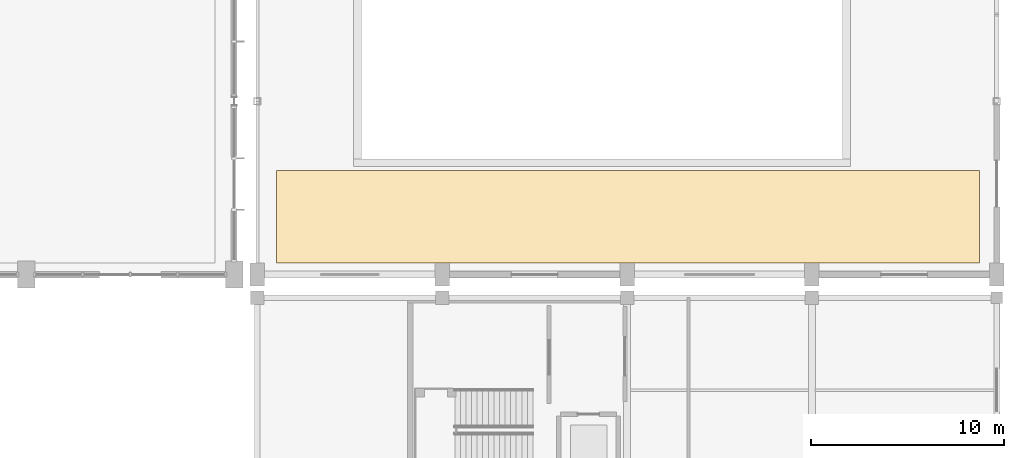
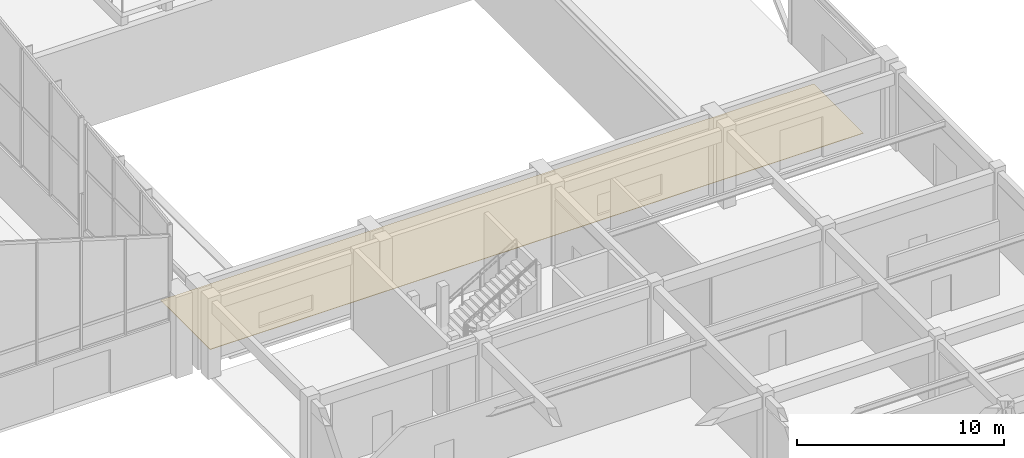
# One storey, part 75 of 82: 1 covering.
"""IFC4 building model written with IfcOpenShell, lengths in metres."""

from ifc_helpers import new_model, si_unit, direction, origin, place, context, subcontext, project, spatial, polyline, outline, extrude, material, layer, layer_set, type_object, element, save


model = new_model("IFC4")

# Units and contexts
model_context = context("Model", 3, precision=1e-05, world=origin(), true_north=direction((0.0, 1.0)))
body_context = subcontext(model_context, "Body", "Model", "MODEL_VIEW")
ifc_project = project(units=[si_unit("LENGTHUNIT", "METRE"), si_unit("AREAUNIT", "SQUARE_METRE"), si_unit("VOLUMEUNIT", "CUBIC_METRE"), si_unit("PLANEANGLEUNIT", "RADIAN"), si_unit("MASSUNIT", "GRAM", prefix="KILO")], contexts=[model_context])

# Site, building, storey
site_placement = place(None, origin())
site = spatial("IfcSite", under=ifc_project, at=site_placement, CompositionType="ELEMENT")
building_placement = place(site_placement, origin())
building = spatial("IfcBuilding", under=site, at=building_placement, Name="Suirenkawa Promenade Aquatics Centre", CompositionType="ELEMENT")
storey_placement = place(building_placement, origin())
storey = spatial("IfcBuildingStorey", under=building, at=storey_placement, Name="L00", CompositionType="ELEMENT", Elevation=0.0)

# Covering
ifc_material = material(Name="Vitrified anti-slip natatorium ceramic tile")
ifc_layer = layer(ifc_material, 0.02490234375, Name="Vitrified anti-slip natatorium ceramic tile")
ifc_layer_set = layer_set([ifc_layer], Name="Vitrified anti-slip natatorium ceramic tile")
covering_type = type_object("IfcCoveringType", Name="CVT-WET-TILE", PredefinedType="FLOORING", material=ifc_layer_set)
covering_placement = place(storey_placement, origin())
element("IfcCovering", 1, at=covering_placement, inside=storey, type_object=covering_type, Name="Floor finish FLR-01 FLR-004", PredefinedType="FLOORING", context=body_context, shape_type="SweptSolid", body=[
    extrude(outline(polyline([(157.0, 51.0), (193.5, 51.0), (193.5, 55.800048828125), (157.0, 55.800048828125), (157.0, 51.0)])), origin(), (0.0, 0.0, 1.0), 0.02490234375),
])

save(model, "model.ifc")
